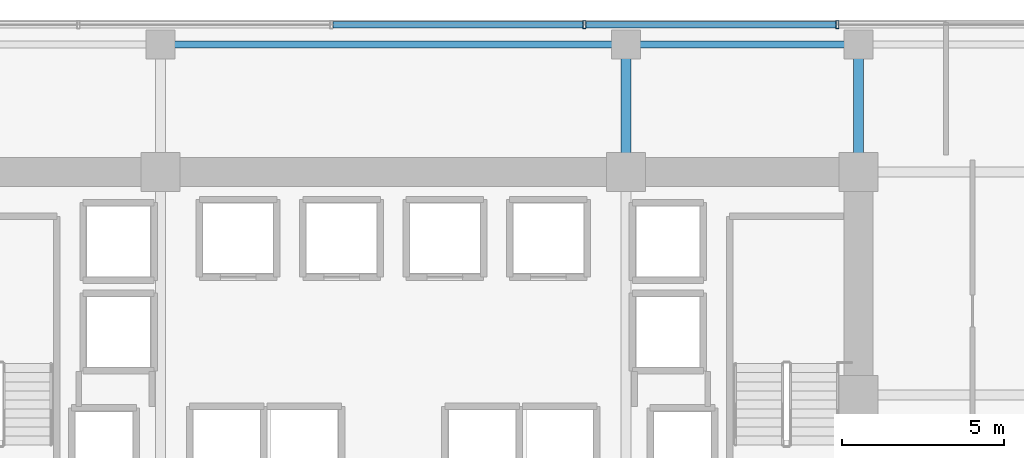
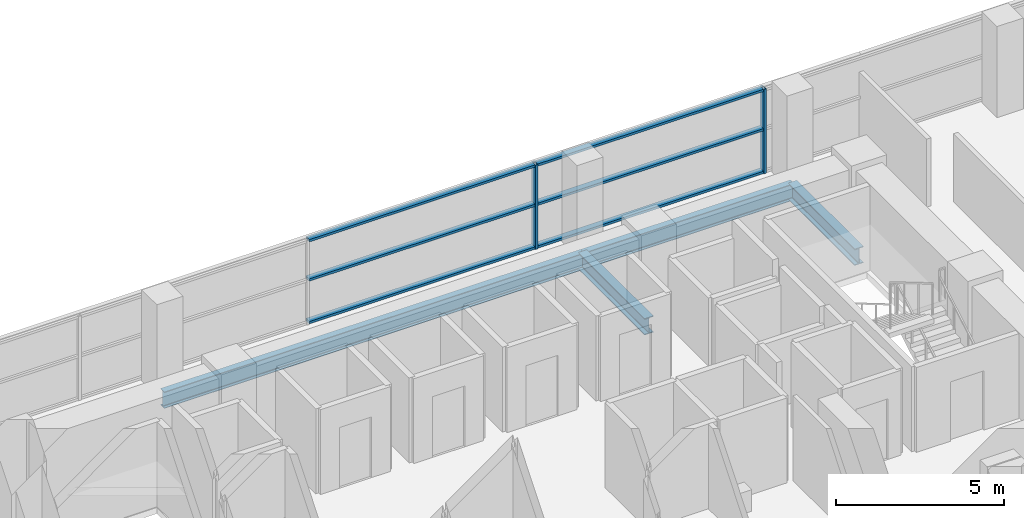
# One storey, part 20 of 31: 8 members, 4 beams, 1 element without a shape of its own.
"""IFC4 building model written with IfcOpenShell, lengths in metres."""

from ifc_helpers import new_model, si_unit, direction, frame, origin, origin_2d, place, context, subcontext, project, spatial, hollow_rectangle, i_section, extrude, source, transform, mapped, material, layer, layer_set, material_profile, profile_set, type_object, element, aggregate, save


model = new_model("IFC4")

# Units and contexts
model_context = context("Model", 3, precision=1e-05, world=origin(), true_north=direction((0.0, 1.0)))
body_context = subcontext(model_context, "Body", "Model", "MODEL_VIEW")
ifc_project = project(units=[si_unit("LENGTHUNIT", "METRE"), si_unit("AREAUNIT", "SQUARE_METRE"), si_unit("VOLUMEUNIT", "CUBIC_METRE"), si_unit("PLANEANGLEUNIT", "RADIAN"), si_unit("MASSUNIT", "GRAM", prefix="KILO")], contexts=[model_context])

# Site, building, storey
site_placement = place(None, origin())
site = spatial("IfcSite", under=ifc_project, at=site_placement, CompositionType="ELEMENT")
building_placement = place(site_placement, origin())
building = spatial("IfcBuilding", under=site, at=building_placement, Name="Zarnakvel Exchange Tower", CompositionType="ELEMENT")
storey_placement = place(building_placement, frame((0.0, 0.0, 67.0)))
storey = spatial("IfcBuildingStorey", under=building, at=storey_placement, Name="L18", CompositionType="ELEMENT", Elevation=67.0)

# Beams
ifc_material_1 = material(Name="Steel S355", Category="steel")
ifc_material_profile_1 = material_profile(ifc_material_1, i_section(OverallWidth=0.300048828125, OverallDepth=0.60009765625, WebThickness=0.015380859375, FlangeThickness=0.030029296875, FilletRadius=0.027099609375, at=origin_2d()))
ifc_profile_set_1 = profile_set([ifc_material_profile_1], Name="Steel S355")
beam_type_1 = type_object("IfcBeamType", Name="G-04", PredefinedType="BEAM", material=ifc_profile_set_1)
for number, where, z_axis, x_axis, name in (
    (1, (7.199951171875, 13.5, -0.52490234375), (0.0, 1.0, 0.0), (-1.0, 0.0, 0.0), "L18 Tower N-S Frame Beam"),
    (2, (14.39990234375, 13.5, -0.52490234375), (0.0, 1.0, 0.0), (-1.0, 0.0, 0.0), "L18 Tower N-S Frame Beam"),
):
    element("IfcBeam", number, at=place(storey_placement, frame(where, z_axis=z_axis, x_axis=x_axis)), inside=storey, type_object=beam_type_1, Name=name, PredefinedType="BEAM", context=body_context, shape_type="SweptSolid", body=[
        extrude(i_section(OverallWidth=0.300048828125, OverallDepth=0.60009765625, WebThickness=0.015380859375, FlangeThickness=0.030029296875, FilletRadius=0.027099609375, at=origin_2d()), origin(), (0.0, 0.0, 1.0), 3.949951171875),
    ])
ifc_material_profile_2 = material_profile(ifc_material_1, i_section(OverallWidth=0.219970703125, OverallDepth=0.60009765625, WebThickness=0.011962890625, FlangeThickness=0.01904296875, FilletRadius=0.02392578125, at=origin_2d()))
ifc_profile_set_2 = profile_set([ifc_material_profile_2], Name="Steel S355")
beam_type_2 = type_object("IfcBeamType", Name="SP-01", PredefinedType="SPANDREL", material=ifc_profile_set_2)
beam_1_placement = place(storey_placement, frame((-7.199951171875, 17.449951171875, -0.52490234375), z_axis=(1.0, 0.0, 0.0), x_axis=(0.0, 1.0, 0.0)))
element("IfcBeam", 3, at=beam_1_placement, inside=storey, type_object=beam_type_2, Name="L18 Tower E-W Frame Beam", PredefinedType="SPANDREL", context=body_context, shape_type="SweptSolid", body=[
    extrude(i_section(OverallWidth=0.219970703125, OverallDepth=0.60009765625, WebThickness=0.011962890625, FlangeThickness=0.01904296875, FilletRadius=0.02392578125, at=origin_2d()), origin(), (0.0, 0.0, 1.0), 14.39990234375),
])
beam_2_placement = place(storey_placement, frame((7.199951171875, 17.449951171875, -0.52490234375), z_axis=(1.0, 0.0, 0.0), x_axis=(0.0, 1.0, 0.0)))
element("IfcBeam", 4, at=beam_2_placement, inside=storey, type_object=beam_type_2, Name="L18 Tower E-W Frame Beam", PredefinedType="SPANDREL", context=body_context, shape_type="SweptSolid", body=[
    extrude(i_section(OverallWidth=0.219970703125, OverallDepth=0.60009765625, WebThickness=0.011962890625, FlangeThickness=0.01904296875, FilletRadius=0.02392578125, at=origin_2d()), origin(), (0.0, 0.0, 1.0), 7.199951171875),
])

# Curtain wall, members
ifc_material_2 = material(Name="Architectural Bronze Anodised Aluminium", Category="aluminium")
ifc_layer = layer(ifc_material_2, 0.239990234375)
ifc_layer_set = layer_set([ifc_layer], Name="Architectural Bronze Anodised Aluminium")
curtain_wall_type = type_object("IfcCurtainWallType", Name="CW-02", PredefinedType="NOTDEFINED", material=ifc_layer_set)
curtain_wall_placement = place(storey_placement, origin())
curtain_wall = element("IfcCurtainWall", 5, at=curtain_wall_placement, inside=storey, type_object=curtain_wall_type, Name="L18 Curtain Wall CW-L18-N1 (CW-02)", PredefinedType="NOTDEFINED")
ifc_material_profile_3 = material_profile(ifc_material_2, hollow_rectangle(XDim=0.199951171875, YDim=0.0849609375, WallThickness=0.0048828125, at=origin_2d()))
ifc_profile_set_3 = profile_set([ifc_material_profile_3], Name="Architectural Bronze Anodised Aluminium")
member_type_1 = type_object("IfcMemberType", Name="CWT-02", PredefinedType="USERDEFINED", material=ifc_profile_set_3)
shared_shape_1 = source(origin(), body_context, "Body", "SweptSolid", [
    extrude(hollow_rectangle(XDim=0.199951171875, YDim=0.0849609375, WallThickness=0.0048828125, at=origin_2d()), origin(), (0.0, 0.0, 1.0), 7.738525390625),
])
member_1_placement = place(storey_placement, frame((5.959228515625, 18.06005859375, 0.04248046875), z_axis=(1.0, 0.0, 0.0), x_axis=(0.0, 1.0, 0.0)))
member_1 = element("IfcMember", 6, at=member_1_placement, type_object=member_type_1, Name="CW-02 transom 5.1", ObjectType="TRANSOM", PredefinedType="USERDEFINED", context=body_context, shape_type="MappedRepresentation", body=[
    mapped(shared_shape_1, transform((0.0, 0.0, 0.0), x_axis=(1.0, 0.0, 0.0), y_axis=(0.0, 1.0, 0.0), z_axis=(0.0, 0.0, 1.0), scale=1.0)),
])
member_2_placement = place(storey_placement, frame((5.959228515625, 18.06005859375, 1.588623046875), z_axis=(1.0, 0.0, 0.0), x_axis=(0.0, 1.0, 0.0)))
member_2 = element("IfcMember", 7, at=member_2_placement, type_object=member_type_1, Name="CW-02 transom 5.2", ObjectType="TRANSOM", PredefinedType="USERDEFINED", context=body_context, shape_type="MappedRepresentation", body=[
    mapped(shared_shape_1, transform((0.0, 0.0, 0.0), x_axis=(1.0, 0.0, 0.0), y_axis=(0.0, 1.0, 0.0), z_axis=(0.0, 0.0, 1.0), scale=1.0)),
])
member_3_placement = place(storey_placement, frame((5.959228515625, 18.06005859375, 3.012451171875), z_axis=(1.0, 0.0, 0.0), x_axis=(0.0, 1.0, 0.0)))
member_3 = element("IfcMember", 8, at=member_3_placement, type_object=member_type_1, Name="CW-02 transom 5.3", ObjectType="TRANSOM", PredefinedType="USERDEFINED", context=body_context, shape_type="MappedRepresentation", body=[
    mapped(shared_shape_1, transform((0.0, 0.0, 0.0), x_axis=(1.0, 0.0, 0.0), y_axis=(0.0, 1.0, 0.0), z_axis=(0.0, 0.0, 1.0), scale=1.0)),
])
shared_shape_2 = source(origin(), body_context, "Body", "SweptSolid", [
    extrude(hollow_rectangle(XDim=0.199951171875, YDim=0.0849609375, WallThickness=0.0048828125, at=origin_2d()), origin(), (0.0, 0.0, 1.0), 7.73876953125),
])
member_4_placement = place(storey_placement, frame((-1.869384765625, 18.06005859375, 0.04248046875), z_axis=(1.0, 0.0, 0.0), x_axis=(0.0, 1.0, 0.0)))
member_4 = element("IfcMember", 9, at=member_4_placement, type_object=member_type_1, Name="CW-02 transom 4.1", ObjectType="TRANSOM", PredefinedType="USERDEFINED", context=body_context, shape_type="MappedRepresentation", body=[
    mapped(shared_shape_2, transform((0.0, 0.0, 0.0), x_axis=(1.0, 0.0, 0.0), y_axis=(0.0, 1.0, 0.0), z_axis=(0.0, 0.0, 1.0), scale=1.0)),
])
member_5_placement = place(storey_placement, frame((-1.869384765625, 18.06005859375, 1.588623046875), z_axis=(1.0, 0.0, 0.0), x_axis=(0.0, 1.0, 0.0)))
member_5 = element("IfcMember", 10, at=member_5_placement, type_object=member_type_1, Name="CW-02 transom 4.2", ObjectType="TRANSOM", PredefinedType="USERDEFINED", context=body_context, shape_type="MappedRepresentation", body=[
    mapped(shared_shape_2, transform((0.0, 0.0, 0.0), x_axis=(1.0, 0.0, 0.0), y_axis=(0.0, 1.0, 0.0), z_axis=(0.0, 0.0, 1.0), scale=1.0)),
])
member_6_placement = place(storey_placement, frame((-1.869384765625, 18.06005859375, 3.012451171875), z_axis=(1.0, 0.0, 0.0), x_axis=(0.0, 1.0, 0.0)))
member_6 = element("IfcMember", 11, at=member_6_placement, type_object=member_type_1, Name="CW-02 transom 4.3", ObjectType="TRANSOM", PredefinedType="USERDEFINED", context=body_context, shape_type="MappedRepresentation", body=[
    mapped(shared_shape_2, transform((0.0, 0.0, 0.0), x_axis=(1.0, 0.0, 0.0), y_axis=(0.0, 1.0, 0.0), z_axis=(0.0, 0.0, 1.0), scale=1.0)),
])
ifc_material_profile_4 = material_profile(ifc_material_2, hollow_rectangle(XDim=0.239990234375, YDim=0.090087890625, WallThickness=0.006103515625, at=origin_2d()))
ifc_profile_set_4 = profile_set([ifc_material_profile_4], Name="Architectural Bronze Anodised Aluminium")
member_type_2 = type_object("IfcMemberType", Name="CWM-02", PredefinedType="MULLION", material=ifc_profile_set_4)
shared_shape_3 = source(origin(), body_context, "Body", "SweptSolid", [
    extrude(hollow_rectangle(XDim=0.239990234375, YDim=0.090087890625, WallThickness=0.006103515625, at=origin_2d()), origin(), (0.0, 0.0, 1.0), 3.054931640625),
])
member_7_placement = place(storey_placement, frame((5.914306640625, 18.06005859375, 0.0), z_axis=(0.0, 0.0, 1.0), x_axis=(0.0, 1.0, 0.0)))
member_7 = element("IfcMember", 12, at=member_7_placement, type_object=member_type_2, Name="CW-02 mullion 5", PredefinedType="MULLION", context=body_context, shape_type="MappedRepresentation", body=[
    mapped(shared_shape_3, transform((0.0, 0.0, 0.0), x_axis=(1.0, 0.0, 0.0), y_axis=(0.0, 1.0, 0.0), z_axis=(0.0, 0.0, 1.0), scale=1.0)),
])
member_8_placement = place(storey_placement, frame((13.742919921875, 18.06005859375, 0.0), z_axis=(0.0, 0.0, 1.0), x_axis=(0.0, 1.0, 0.0)))
member_8 = element("IfcMember", 13, at=member_8_placement, type_object=member_type_2, Name="CW-02 mullion 6", PredefinedType="MULLION", context=body_context, shape_type="MappedRepresentation", body=[
    mapped(shared_shape_3, transform((0.0, 0.0, 0.0), x_axis=(1.0, 0.0, 0.0), y_axis=(0.0, 1.0, 0.0), z_axis=(0.0, 0.0, 1.0), scale=1.0)),
])
aggregate(curtain_wall, [member_7, member_8, member_4, member_5, member_6, member_1, member_2, member_3])

save(model, "model.ifc")
